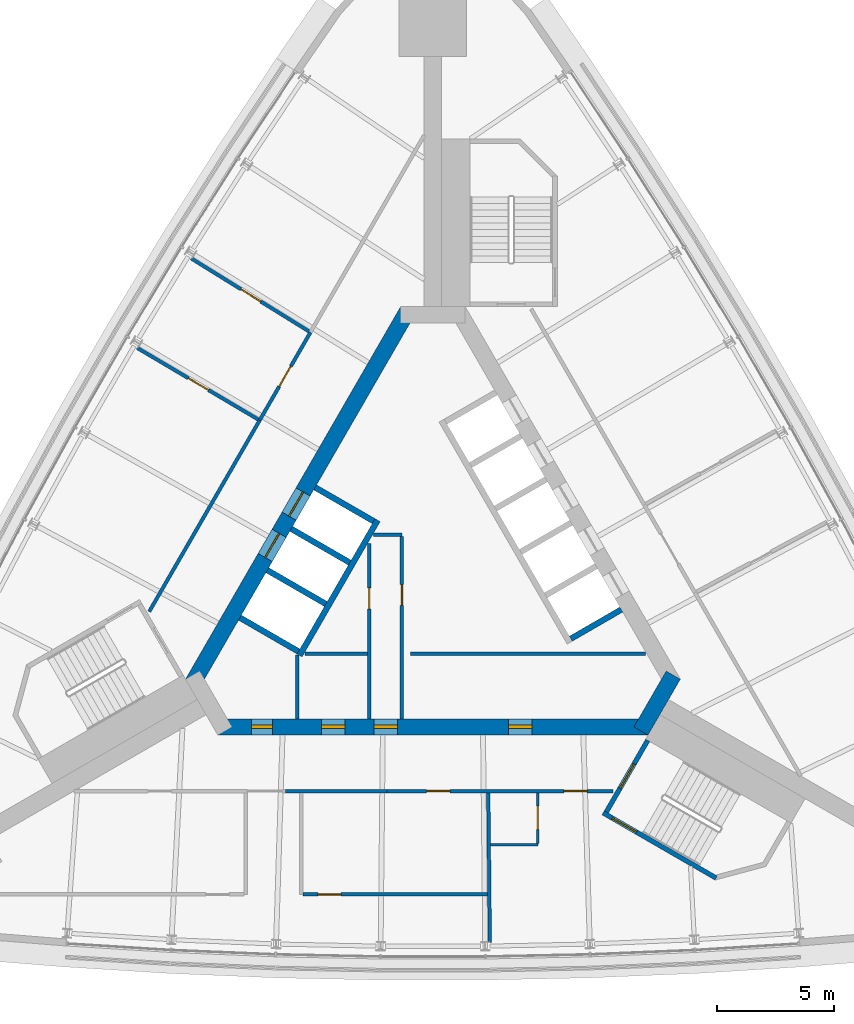
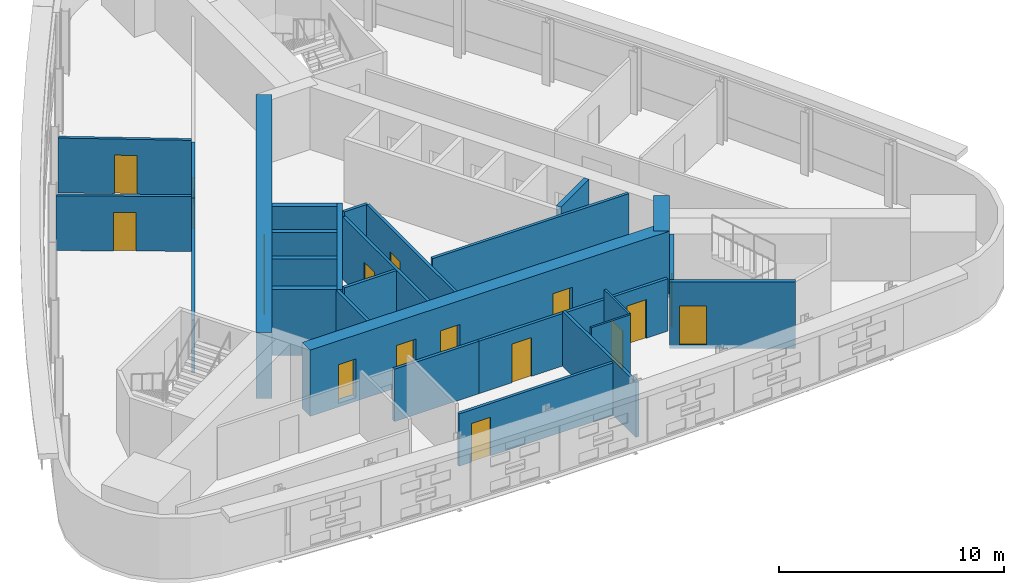
# One storey, part 8 of 12: 27 walls, 17 doors, 17 openings.
"""IFC4 building model written with IfcOpenShell, lengths in metres."""

from ifc_helpers import new_model, si_unit, direction, frame, frame_2d, origin, place, context, subcontext, project, spatial, rectangle, extrude, material, layer, layer_set, type_object, element, fill, save


model = new_model("IFC4")

# Units and contexts
model_context = context("Model", 3, precision=1e-05, world=origin(), true_north=direction((0.0, 1.0)))
body_context = subcontext(model_context, "Body", "Model", "MODEL_VIEW")
ifc_project = project(units=[si_unit("LENGTHUNIT", "METRE"), si_unit("AREAUNIT", "SQUARE_METRE"), si_unit("VOLUMEUNIT", "CUBIC_METRE"), si_unit("PLANEANGLEUNIT", "RADIAN"), si_unit("MASSUNIT", "GRAM", prefix="KILO")], contexts=[model_context])

# Site, building, storey
site_placement = place(None, origin())
site = spatial("IfcSite", under=ifc_project, at=site_placement, CompositionType="ELEMENT")
building_placement = place(site_placement, origin())
building = spatial("IfcBuilding", under=site, at=building_placement, Name="Noor Cloister Tower", CompositionType="ELEMENT")
storey_placement = place(building_placement, frame((0.0, 0.0, 154.5)))
storey = spatial("IfcBuildingStorey", under=building, at=storey_placement, Name="L39", CompositionType="ELEMENT", Elevation=154.5)

# Walls
ifc_material_1 = material(Name="Concrete C30/37", Category="concrete")
ifc_layer_1 = layer(ifc_material_1, 0.14990234375)
ifc_layer_set_1 = layer_set([ifc_layer_1], Name="Core partition 150 C30/37")
wall_type_1 = type_object("IfcWallType", Name="Core partition 150 C30/37", PredefinedType="PARTITIONING", material=ifc_layer_set_1)
wall_1_placement = place(storey_placement, frame((-5.82861328125, -3.492431640625, 0.0), z_axis=(0.0, 0.0, 1.0), x_axis=(0.0, -1.0, 0.0)))
element("IfcWall", 1, at=wall_1_placement, inside=storey, type_object=wall_type_1, Name="Core room partition L39 1", PredefinedType="PARTITIONING", context=body_context, shape_type="SweptSolid", body=[
    extrude(rectangle(XDim=2.73583984375, YDim=0.14990234375, at=frame_2d((1.367919921875, 0.0))), origin(), (0.0, 0.0, 1.0), 3.39990234375),
])
wall_2_placement = place(storey_placement, frame((-5.48876953125, -3.42822265625, 0.0), z_axis=(0.0, 0.0, 1.0), x_axis=(1.0, 0.0, 0.0)))
element("IfcWall", 2, at=wall_2_placement, inside=storey, type_object=wall_type_1, Name="Core room partition L39 2", PredefinedType="PARTITIONING", context=body_context, shape_type="SweptSolid", body=[
    extrude(rectangle(XDim=2.68505859375, YDim=0.14990234375, at=frame_2d((1.342529296875, 0.0))), origin(), (0.0, 0.0, 1.0), 3.39990234375),
])

# Wall, opening, door
wall_3_placement = place(storey_placement, frame((-2.728759765625, 1.300048828125, 0.0), z_axis=(0.0, 0.0, 1.0), x_axis=(0.0, -1.0, 0.0)))
wall_3 = element("IfcWall", 3, at=wall_3_placement, inside=storey, type_object=wall_type_1, Name="Core room partition L39 3", PredefinedType="PARTITIONING", context=body_context, shape_type="SweptSolid", body=[
    extrude(rectangle(XDim=7.5283203125, YDim=0.14990234375, at=frame_2d((3.76416015625, 0.0))), origin(), (0.0, 0.0, 1.0), 3.39990234375),
])
opening_1_placement = place(wall_3_placement, frame((1.915283203125, 0.0, 0.0)))
opening_1 = element("IfcOpeningElement", 4, at=opening_1_placement, cuts=wall_3, Name="Opening L39-905", PredefinedType="OPENING", context=body_context, shape_type="SweptSolid", body=[
    extrude(rectangle(XDim=0.89990234375, YDim=2.10009765625, at=frame_2d((0.449951171875, 1.050048828125))), frame((0.0, 0.0849609375, 0.0), z_axis=(0.0, -1.0, 0.0), x_axis=(1.0, 0.0, 0.0)), (0.0, 0.0, 1.0), 0.169921875),
])
ifc_material_2 = material(Name="Steel", Category="steel")
door_type_1 = type_object("IfcDoorType", Name="Core door 900 x 2100 FD120", OperationType="SINGLE_SWING_LEFT", PredefinedType="DOOR", material=ifc_material_2)
door_1_placement = place(opening_1_placement, origin())
door_1 = element("IfcDoor", 5, at=door_1_placement, inside=storey, type_object=door_type_1, Name="Core door 5 L39", OperationType="SINGLE_SWING_LEFT", OverallHeight=2.10009765625, OverallWidth=0.89990234375, PredefinedType="DOOR", context=body_context, shape_type="SweptSolid", body=[
    extrude(rectangle(XDim=0.89990234375, YDim=2.10009765625, at=frame_2d((0.449951171875, 1.050048828125))), frame((0.0, 0.02490234375, 0.0), z_axis=(0.0, -1.0, 0.0), x_axis=(1.0, 0.0, 0.0)), (0.0, 0.0, 1.0), 0.050048828125),
])
fill(opening_1, door_1)

# Wall
wall_4_placement = place(storey_placement, frame((-2.544189453125, 1.671875, 0.0), z_axis=(0.0, 0.0, 1.0), x_axis=(1.0, 0.0, 0.0)))
element("IfcWall", 6, at=wall_4_placement, inside=storey, type_object=wall_type_1, Name="Core room partition L39 4", PredefinedType="PARTITIONING", context=body_context, shape_type="SweptSolid", body=[
    extrude(rectangle(XDim=1.215576171875, YDim=0.14990234375, at=frame_2d((0.60791015625, 0.0))), origin(), (0.0, 0.0, 1.0), 3.39990234375),
])

# Wall, opening, door
wall_5_placement = place(storey_placement, frame((-1.32861328125, 1.5966796875, 0.0), z_axis=(0.0, 0.0, 1.0), x_axis=(0.0, -1.0, 0.0)))
wall_5 = element("IfcWall", 7, at=wall_5_placement, inside=storey, type_object=wall_type_1, Name="Core room partition L39 5", PredefinedType="PARTITIONING", context=body_context, shape_type="SweptSolid", body=[
    extrude(rectangle(XDim=7.824951171875, YDim=0.14990234375, at=frame_2d((3.91259765625, 0.0))), origin(), (0.0, 0.0, 1.0), 3.39990234375),
])
opening_2_placement = place(wall_5_placement, frame((2.0634765625, 0.0, 0.0)))
opening_2 = element("IfcOpeningElement", 8, at=opening_2_placement, cuts=wall_5, Name="Opening L39-906", PredefinedType="OPENING", context=body_context, shape_type="SweptSolid", body=[
    extrude(rectangle(XDim=0.89990234375, YDim=2.10009765625, at=frame_2d((0.449951171875, 1.050048828125))), frame((0.0, 0.0849609375, 0.0), z_axis=(0.0, -1.0, 0.0), x_axis=(1.0, 0.0, 0.0)), (0.0, 0.0, 1.0), 0.169921875),
])
door_2_placement = place(opening_2_placement, origin())
door_2 = element("IfcDoor", 9, at=door_2_placement, inside=storey, type_object=door_type_1, Name="Core door 6 L39", OperationType="SINGLE_SWING_RIGHT", OverallHeight=2.10009765625, OverallWidth=0.89990234375, PredefinedType="DOOR", context=body_context, shape_type="SweptSolid", body=[
    extrude(rectangle(XDim=0.89990234375, YDim=2.10009765625, at=frame_2d((0.449951171875, 1.050048828125))), frame((0.0, 0.02490234375, 0.0), z_axis=(0.0, -1.0, 0.0), x_axis=(1.0, 0.0, 0.0)), (0.0, 0.0, 1.0), 0.050048828125),
])
fill(opening_2, door_2)

# Wall
wall_6_placement = place(storey_placement, frame((-0.95361328125, -3.42822265625, 0.0), z_axis=(0.0, 0.0, 1.0), x_axis=(1.0, 0.0, 0.0)))
element("IfcWall", 10, at=wall_6_placement, inside=storey, type_object=wall_type_1, Name="Core room partition L39 6", PredefinedType="PARTITIONING", context=body_context, shape_type="SweptSolid", body=[
    extrude(rectangle(XDim=10.07958984375, YDim=0.14990234375, at=frame_2d((5.039794921875, 0.0))), origin(), (0.0, 0.0, 1.0), 3.39990234375),
])

# Wall, openings, doors
ifc_material_3 = material(Name="Concrete C70/85", Category="concrete")
ifc_layer_2 = layer(ifc_material_3, 0.699951171875)
ifc_layer_set_2 = layer_set([ifc_layer_2], Name="Core wall 700 C70/85")
wall_type_2 = type_object("IfcWallType", Name="Core wall 700 C70/85", PredefinedType="SHEAR", material=ifc_layer_set_2)
wall_7_placement = place(storey_placement, frame((-9.228759765625, -6.578125, -0.199951171875), z_axis=(0.0, 0.0, 1.0), x_axis=(1.0, 0.0, 0.0)))
wall_7 = element("IfcWall", 11, at=wall_7_placement, inside=storey, type_object=wall_type_2, Name="Core wall L39 1", PredefinedType="SHEAR", context=body_context, shape_type="SweptSolid", body=[
    extrude(rectangle(XDim=18.45751953125, YDim=0.699951171875, at=frame_2d((9.228759765625, 0.0))), origin(), (0.0, 0.0, 1.0), 3.599853515625),
])
opening_3_placement = place(wall_7_placement, frame((6.699951171875, 0.0, 0.199951171875)))
opening_3 = element("IfcOpeningElement", 12, at=opening_3_placement, cuts=wall_7, Name="Opening L39-901", PredefinedType="OPENING", context=body_context, shape_type="SweptSolid", body=[
    extrude(rectangle(XDim=1.0, YDim=2.10009765625, at=frame_2d((0.5, 1.050048828125))), frame((0.0, 0.35986328125, 0.0), z_axis=(0.0, -1.0, 0.0), x_axis=(1.0, 0.0, 0.0)), (0.0, 0.0, 1.0), 0.719970703125),
])
opening_4_placement = place(wall_7_placement, frame((1.451904296875, 0.0, 0.199951171875)))
opening_4 = element("IfcOpeningElement", 13, at=opening_4_placement, cuts=wall_7, Name="Opening L39-902", PredefinedType="OPENING", context=body_context, shape_type="SweptSolid", body=[
    extrude(rectangle(XDim=0.89990234375, YDim=2.10009765625, at=frame_2d((0.449951171875, 1.050048828125))), frame((0.0, 0.35986328125, 0.0), z_axis=(0.0, -1.0, 0.0), x_axis=(1.0, 0.0, 0.0)), (0.0, 0.0, 1.0), 0.719970703125),
])
opening_5_placement = place(wall_7_placement, frame((4.449951171875, 0.0, 0.199951171875)))
opening_5 = element("IfcOpeningElement", 14, at=opening_5_placement, cuts=wall_7, Name="Opening L39-903", PredefinedType="OPENING", context=body_context, shape_type="SweptSolid", body=[
    extrude(rectangle(XDim=1.0, YDim=2.10009765625, at=frame_2d((0.5, 1.050048828125))), frame((0.0, 0.35986328125, 0.0), z_axis=(0.0, -1.0, 0.0), x_axis=(1.0, 0.0, 0.0)), (0.0, 0.0, 1.0), 0.719970703125),
])
opening_6_placement = place(wall_7_placement, frame((12.4765625, 0.0, 0.199951171875)))
opening_6 = element("IfcOpeningElement", 15, at=opening_6_placement, cuts=wall_7, Name="Opening L39-904", PredefinedType="OPENING", context=body_context, shape_type="SweptSolid", body=[
    extrude(rectangle(XDim=1.0, YDim=2.10009765625, at=frame_2d((0.5, 1.050048828125))), frame((0.0, 0.35986328125, 0.0), z_axis=(0.0, -1.0, 0.0), x_axis=(1.0, 0.0, 0.0)), (0.0, 0.0, 1.0), 0.719970703125),
])
ifc_material_4 = material(Name="Steel", Category="steel")
door_type_2 = type_object("IfcDoorType", Name="Core door 1000 x 2100 FD120", OperationType="SINGLE_SWING_LEFT", PredefinedType="DOOR", material=ifc_material_4)
door_3_placement = place(opening_3_placement, origin())
door_3 = element("IfcDoor", 16, at=door_3_placement, inside=storey, type_object=door_type_2, Name="Core door 1 L39", OperationType="SINGLE_SWING_LEFT", OverallHeight=2.10009765625, OverallWidth=1.0, PredefinedType="DOOR", context=body_context, shape_type="SweptSolid", body=[
    extrude(rectangle(XDim=1.0, YDim=2.10009765625, at=frame_2d((0.5, 1.050048828125))), frame((0.0, 0.074951171875, 0.0), z_axis=(0.0, -1.0, 0.0), x_axis=(1.0, 0.0, 0.0)), (0.0, 0.0, 1.0), 0.14990234375),
])
fill(opening_3, door_3)
ifc_material_5 = material(Name="Steel", Category="steel")
door_type_3 = type_object("IfcDoorType", Name="Core door 1000 x 2100 FD60", OperationType="SINGLE_SWING_LEFT", PredefinedType="DOOR", material=ifc_material_5)
door_4_placement = place(opening_5_placement, origin())
door_4 = element("IfcDoor", 17, at=door_4_placement, inside=storey, type_object=door_type_3, Name="Core door 3 L39", OperationType="SINGLE_SWING_LEFT", OverallHeight=2.10009765625, OverallWidth=1.0, PredefinedType="DOOR", context=body_context, shape_type="SweptSolid", body=[
    extrude(rectangle(XDim=1.0, YDim=2.10009765625, at=frame_2d((0.5, 1.050048828125))), frame((0.0, 0.074951171875, 0.0), z_axis=(0.0, -1.0, 0.0), x_axis=(1.0, 0.0, 0.0)), (0.0, 0.0, 1.0), 0.14990234375),
])
fill(opening_5, door_4)
door_5_placement = place(opening_6_placement, origin())
door_5 = element("IfcDoor", 18, at=door_5_placement, inside=storey, type_object=door_type_3, Name="Core door 4 L39", OperationType="SINGLE_SWING_RIGHT", OverallHeight=2.10009765625, OverallWidth=1.0, PredefinedType="DOOR", context=body_context, shape_type="SweptSolid", body=[
    extrude(rectangle(XDim=1.0, YDim=2.10009765625, at=frame_2d((0.5, 1.050048828125))), frame((0.0, 0.074951171875, 0.0), z_axis=(0.0, -1.0, 0.0), x_axis=(1.0, 0.0, 0.0)), (0.0, 0.0, 1.0), 0.14990234375),
])
fill(opening_6, door_5)
ifc_material_6 = material(Name="Steel", Category="steel")
door_type_4 = type_object("IfcDoorType", Name="Core door 900 x 2100 FD60", OperationType="SINGLE_SWING_LEFT", PredefinedType="DOOR", material=ifc_material_6)
door_6_placement = place(opening_4_placement, origin())
door_6 = element("IfcDoor", 19, at=door_6_placement, inside=storey, type_object=door_type_4, Name="Core door 2 L39", OperationType="SINGLE_SWING_RIGHT", OverallHeight=2.10009765625, OverallWidth=0.89990234375, PredefinedType="DOOR", context=body_context, shape_type="SweptSolid", body=[
    extrude(rectangle(XDim=0.89990234375, YDim=2.10009765625, at=frame_2d((0.449951171875, 1.050048828125))), frame((0.0, 0.074951171875, 0.0), z_axis=(0.0, -1.0, 0.0), x_axis=(1.0, 0.0, 0.0)), (0.0, 0.0, 1.0), 0.14990234375),
])
fill(opening_4, door_6)

# Wall
wall_8_placement = place(storey_placement, frame((8.925537109375, -6.753173828125, -0.199951171875), z_axis=(0.0, 0.0, 1.0), x_axis=(0.500042739161, 0.866000726912, 0.0)))
element("IfcWall", 20, at=wall_8_placement, inside=storey, type_object=wall_type_2, Name="Core wall L39 2", PredefinedType="SHEAR", context=body_context, shape_type="SweptSolid", body=[
    extrude(rectangle(XDim=2.771240234375, YDim=0.699951171875, at=frame_2d((1.3857421875, 0.0))), origin(), (0.0, 0.0, 1.0), 3.599853515625),
])

# Wall, openings, doors
wall_9_placement = place(storey_placement, frame((-1.08251953125, 11.281494140625, -0.199951171875), z_axis=(0.0, 0.0, 1.0), x_axis=(-0.500001446645, -0.866024568562, 0.0)))
wall_9 = element("IfcWall", 21, at=wall_9_placement, inside=storey, type_object=wall_type_2, Name="Core wall L39 5", PredefinedType="SHEAR", context=body_context, shape_type="SweptSolid", body=[
    extrude(rectangle(XDim=18.45751953125, YDim=0.699951171875, at=frame_2d((9.228759765625, 0.0))), origin(), (0.0, 0.0, 1.0), 3.599853515625),
])
opening_7_placement = place(wall_9_placement, frame((8.978759765625, 0.0, 0.199951171875)))
opening_7 = element("IfcOpeningElement", 22, at=opening_7_placement, cuts=wall_9, Name="Opening L39-FF1", PredefinedType="OPENING", context=body_context, shape_type="SweptSolid", body=[
    extrude(rectangle(XDim=1.199951171875, YDim=2.10009765625, at=frame_2d((0.60009765625, 1.050048828125))), frame((0.0, 0.35986328125, 0.0), z_axis=(0.0, -1.0, 0.0), x_axis=(1.0, 0.0, 0.0)), (0.0, 0.0, 1.0), 0.719970703125),
])
opening_8_placement = place(wall_9_placement, frame((11.02880859375, 0.0, 0.199951171875)))
opening_8 = element("IfcOpeningElement", 23, at=opening_8_placement, cuts=wall_9, Name="Opening L39-FF2", PredefinedType="OPENING", context=body_context, shape_type="SweptSolid", body=[
    extrude(rectangle(XDim=1.199951171875, YDim=2.10009765625, at=frame_2d((0.60009765625, 1.050048828125))), frame((0.0, 0.35986328125, 0.0), z_axis=(0.0, -1.0, 0.0), x_axis=(1.0, 0.0, 0.0)), (0.0, 0.0, 1.0), 0.719970703125),
])
ifc_material_7 = material(Name="Stainless steel", Category="steel")
door_type_5 = type_object("IfcDoorType", Name="Lift landing door 1200 x 2100", OperationType="DOUBLE_DOOR_SLIDING", PredefinedType="DOOR", material=ifc_material_7)
door_7_placement = place(opening_7_placement, origin())
door_7 = element("IfcDoor", 24, at=door_7_placement, inside=storey, type_object=door_type_5, Name="Landing door FF1 L39", OperationType="DOUBLE_DOOR_SLIDING", OverallHeight=2.10009765625, OverallWidth=1.199951171875, PredefinedType="DOOR", context=body_context, shape_type="SweptSolid", body=[
    extrude(rectangle(XDim=1.199951171875, YDim=2.10009765625, at=frame_2d((0.60009765625, 1.050048828125))), frame((0.0, 0.02490234375, 0.0), z_axis=(0.0, -1.0, 0.0), x_axis=(1.0, 0.0, 0.0)), (0.0, 0.0, 1.0), 0.050048828125),
])
fill(opening_7, door_7)
door_8_placement = place(opening_8_placement, origin())
door_8 = element("IfcDoor", 25, at=door_8_placement, inside=storey, type_object=door_type_5, Name="Landing door FF2 L39", OperationType="DOUBLE_DOOR_SLIDING", OverallHeight=2.10009765625, OverallWidth=1.199951171875, PredefinedType="DOOR", context=body_context, shape_type="SweptSolid", body=[
    extrude(rectangle(XDim=1.199951171875, YDim=2.10009765625, at=frame_2d((0.60009765625, 1.050048828125))), frame((0.0, 0.02490234375, 0.0), z_axis=(0.0, -1.0, 0.0), x_axis=(1.0, 0.0, 0.0)), (0.0, 0.0, 1.0), 0.050048828125),
])
fill(opening_8, door_8)

# Wall
ifc_material_8 = material(Name="Fire-rated gypsum board partition on steel studs, 150 mm", Category="steel")
ifc_layer_3 = layer(ifc_material_8, 0.14990234375)
ifc_layer_set_3 = layer_set([ifc_layer_3], Name="Fire lobby wall 150")
wall_type_3 = type_object("IfcWallType", Name="Fire lobby wall 150", PredefinedType="PARTITIONING", material=ifc_layer_set_3)
wall_10_placement = place(storey_placement, frame((-7.43505859375, 6.578369140625, 0.0), z_axis=(0.0, 0.0, 1.0), x_axis=(-0.499998996204, -0.866025983326, 0.0)))
element("IfcWall", 26, at=wall_10_placement, inside=storey, type_object=wall_type_3, Name="Wall L39-W17", PredefinedType="PARTITIONING", context=body_context, shape_type="SweptSolid", body=[
    extrude(rectangle(XDim=9.47607421875, YDim=0.14990234375, at=frame_2d((4.738037109375, 0.0))), origin(), (0.0, 0.0, 1.0), 2.846923828125),
])

# Wall, opening, door
wall_11_placement = place(storey_placement, frame((-5.2548828125, 10.354736328125, 0.0), z_axis=(0.0, 0.0, 1.0), x_axis=(-0.499980937175, -0.866036409432, 0.0)))
wall_11 = element("IfcWall", 27, at=wall_11_placement, inside=storey, type_object=wall_type_3, Name="Wall L39-W20", PredefinedType="PARTITIONING", context=body_context, shape_type="SweptSolid", body=[
    extrude(rectangle(XDim=4.360595703125, YDim=0.14990234375, at=frame_2d((2.18017578125, 0.0))), origin(), (0.0, 0.0, 1.0), 2.846923828125),
])
opening_9_placement = place(wall_11_placement, frame((1.68017578125, 0.0, 0.0)))
opening_9 = element("IfcOpeningElement", 28, at=opening_9_placement, cuts=wall_11, Name="Opening L39-011", PredefinedType="OPENING", context=body_context, shape_type="SweptSolid", body=[
    extrude(rectangle(XDim=1.0, YDim=2.10009765625, at=frame_2d((0.5, 1.050048828125))), frame((0.0, 0.0849609375, 0.0), z_axis=(0.0, -1.0, 0.0), x_axis=(1.0, 0.0, 0.0)), (0.0, 0.0, 1.0), 0.169921875),
])
ifc_material_9 = material(Name="Timber door leaf with steel frame", Category="steel")
door_type_6 = type_object("IfcDoorType", Name="Fire lobby door 1000", OperationType="NOTDEFINED", PredefinedType="DOOR", material=ifc_material_9)
door_9_placement = place(opening_9_placement, origin())
door_9 = element("IfcDoor", 29, at=door_9_placement, inside=storey, type_object=door_type_6, Name="Door L39-011", OperationType="SINGLE_SWING_LEFT", OverallHeight=2.10009765625, OverallWidth=1.0, PredefinedType="DOOR", context=body_context, shape_type="SweptSolid", body=[
    extrude(rectangle(XDim=1.0, YDim=2.10009765625, at=frame_2d((0.5, 1.050048828125))), frame((0.0, 0.02490234375, 0.0), z_axis=(0.0, -1.0, 0.0), x_axis=(1.0, 0.0, 0.0)), (0.0, 0.0, 1.0), 0.050048828125),
])
fill(opening_9, door_9)

# Wall, openings, doors
ifc_material_10 = material(Name="Gypsum board partition on steel studs, 150 mm", Category="steel")
ifc_layer_4 = layer(ifc_material_10, 0.14990234375)
ifc_layer_set_4 = layer_set([ifc_layer_4], Name="Flat wall 150")
wall_type_4 = type_object("IfcWallType", Name="Flat wall 150", PredefinedType="PARTITIONING", material=ifc_layer_set_4)
wall_12_placement = place(storey_placement, frame((-1.975341796875, -9.328125, 0.0), z_axis=(0.0, 0.0, 1.0), x_axis=(1.0, 0.0, 0.0)))
wall_12 = element("IfcWall", 30, at=wall_12_placement, inside=storey, type_object=wall_type_4, Name="Wall L39-W07", PredefinedType="PARTITIONING", context=body_context, shape_type="SweptSolid", body=[
    extrude(rectangle(XDim=9.702880859375, YDim=0.14990234375, at=frame_2d((4.8515625, 0.0))), origin(), (0.0, 0.0, 1.0), 2.846923828125),
])
opening_10_placement = place(wall_12_placement, frame((1.7001953125, 0.0, 0.0)))
opening_10 = element("IfcOpeningElement", 31, at=opening_10_placement, cuts=wall_12, Name="Opening L39-008", PredefinedType="OPENING", context=body_context, shape_type="SweptSolid", body=[
    extrude(rectangle(XDim=1.0, YDim=2.10009765625, at=frame_2d((0.5, 1.050048828125))), frame((0.0, 0.0849609375, 0.0), z_axis=(0.0, -1.0, 0.0), x_axis=(1.0, 0.0, 0.0)), (0.0, 0.0, 1.0), 0.169921875),
])
opening_11_placement = place(wall_12_placement, frame((7.588623046875, 0.0, 0.0)))
opening_11 = element("IfcOpeningElement", 32, at=opening_11_placement, cuts=wall_12, Name="Opening L39-010", PredefinedType="OPENING", context=body_context, shape_type="SweptSolid", body=[
    extrude(rectangle(XDim=1.0, YDim=2.10009765625, at=frame_2d((0.5, 1.050048828125))), frame((0.0, 0.0849609375, 0.0), z_axis=(0.0, -1.0, 0.0), x_axis=(1.0, 0.0, 0.0)), (0.0, 0.0, 1.0), 0.169921875),
])
ifc_material_11 = material(Name="Timber door leaf with steel frame", Category="steel")
door_type_7 = type_object("IfcDoorType", Name="Flat entrance door 1000", OperationType="NOTDEFINED", PredefinedType="DOOR", material=ifc_material_11)
door_10_placement = place(opening_11_placement, origin())
door_10 = element("IfcDoor", 33, at=door_10_placement, inside=storey, type_object=door_type_7, Name="Door L39-010", OperationType="SINGLE_SWING_RIGHT", OverallHeight=2.10009765625, OverallWidth=1.0, PredefinedType="DOOR", context=body_context, shape_type="SweptSolid", body=[
    extrude(rectangle(XDim=1.0, YDim=2.10009765625, at=frame_2d((0.5, 1.050048828125))), frame((0.0, 0.02490234375, 0.0), z_axis=(0.0, -1.0, 0.0), x_axis=(1.0, 0.0, 0.0)), (0.0, 0.0, 1.0), 0.050048828125),
])
fill(opening_11, door_10)
ifc_material_12 = material(Name="Timber door leaf with steel frame", Category="steel")
door_type_8 = type_object("IfcDoorType", Name="Interior door 1000 FD60", OperationType="NOTDEFINED", PredefinedType="DOOR", material=ifc_material_12)
door_11_placement = place(opening_10_placement, origin())
door_11 = element("IfcDoor", 34, at=door_11_placement, inside=storey, type_object=door_type_8, Name="Door L39-008", OperationType="SINGLE_SWING_RIGHT", OverallHeight=2.10009765625, OverallWidth=1.0, PredefinedType="DOOR", context=body_context, shape_type="SweptSolid", body=[
    extrude(rectangle(XDim=1.0, YDim=2.10009765625, at=frame_2d((0.5, 1.050048828125))), frame((0.0, 0.02490234375, 0.0), z_axis=(0.0, -1.0, 0.0), x_axis=(1.0, 0.0, 0.0)), (0.0, 0.0, 1.0), 0.050048828125),
])
fill(opening_10, door_11)

# Walls
wall_13_placement = place(storey_placement, frame((-6.32763671875, -9.328125, 0.0), z_axis=(0.0, 0.0, 1.0), x_axis=(1.0, 0.0, 0.0)))
element("IfcWall", 35, at=wall_13_placement, inside=storey, type_object=wall_type_4, Name="Wall L39-W08", PredefinedType="PARTITIONING", context=body_context, shape_type="SweptSolid", body=[
    extrude(rectangle(XDim=4.352294921875, YDim=0.14990234375, at=frame_2d((2.17626953125, 0.0))), origin(), (0.0, 0.0, 1.0), 2.846923828125),
])
wall_14_placement = place(storey_placement, frame((2.442626953125, -15.831298828125, 0.0), z_axis=(0.0, 0.0, 1.0), x_axis=(-0.010368237525, 0.999946248381, 0.0)))
element("IfcWall", 36, at=wall_14_placement, inside=storey, type_object=wall_type_4, Name="Wall L39-W09", PredefinedType="PARTITIONING", context=body_context, shape_type="SweptSolid", body=[
    extrude(rectangle(XDim=6.42822265625, YDim=0.14990234375, at=frame_2d((3.214111328125, 0.0))), origin(), (0.0, 0.0, 1.0), 2.97412109375),
])

# Wall, opening, door
wall_15_placement = place(storey_placement, frame((-5.56591796875, -13.76611328125, 0.0), z_axis=(0.0, 0.0, 1.0), x_axis=(1.0, 0.0, 0.0)))
wall_15 = element("IfcWall", 37, at=wall_15_placement, inside=storey, type_object=wall_type_4, Name="Wall L39-W13", PredefinedType="PARTITIONING", context=body_context, shape_type="SweptSolid", body=[
    extrude(rectangle(XDim=7.912109375, YDim=0.14990234375, at=frame_2d((3.9560546875, 0.0))), origin(), (0.0, 0.0, 1.0), 2.846923828125),
])
opening_12_placement = place(wall_15_placement, frame((0.625, 0.0, 0.0)))
opening_12 = element("IfcOpeningElement", 38, at=opening_12_placement, cuts=wall_15, Name="Opening L39-007", PredefinedType="OPENING", context=body_context, shape_type="SweptSolid", body=[
    extrude(rectangle(XDim=1.0, YDim=2.10009765625, at=frame_2d((0.5, 1.050048828125))), frame((0.0, 0.0849609375, 0.0), z_axis=(0.0, -1.0, 0.0), x_axis=(1.0, 0.0, 0.0)), (0.0, 0.0, 1.0), 0.169921875),
])
door_12_placement = place(opening_12_placement, origin())
door_12 = element("IfcDoor", 39, at=door_12_placement, inside=storey, type_object=door_type_8, Name="Door L39-007", OperationType="SINGLE_SWING_LEFT", OverallHeight=2.10009765625, OverallWidth=1.0, PredefinedType="DOOR", context=body_context, shape_type="SweptSolid", body=[
    extrude(rectangle(XDim=1.0, YDim=2.10009765625, at=frame_2d((0.5, 1.050048828125))), frame((0.0, 0.02490234375, 0.0), z_axis=(0.0, -1.0, 0.0), x_axis=(1.0, 0.0, 0.0)), (0.0, 0.0, 1.0), 0.050048828125),
])
fill(opening_12, door_12)

wall_16_placement = place(storey_placement, frame((-10.37353515625, 13.526123046875, 0.0), z_axis=(0.0, 0.0, 1.0), x_axis=(0.85006997005, -0.526669769418, 0.0)))
wall_16 = element("IfcWall", 40, at=wall_16_placement, inside=storey, type_object=wall_type_4, Name="Wall L39-W18", PredefinedType="PARTITIONING", context=body_context, shape_type="SweptSolid", body=[
    extrude(rectangle(XDim=5.946533203125, YDim=0.14990234375, at=frame_2d((2.97314453125, 0.0))), origin(), (0.0, 0.0, 1.0), 2.97412109375),
])
opening_13_placement = place(wall_16_placement, frame((2.5107421875, 0.0, 0.0)))
opening_13 = element("IfcOpeningElement", 41, at=opening_13_placement, cuts=wall_16, Name="Opening L39-012", PredefinedType="OPENING", context=body_context, shape_type="SweptSolid", body=[
    extrude(rectangle(XDim=1.0, YDim=2.10009765625, at=frame_2d((0.5, 1.050048828125))), frame((0.0, 0.0849609375, 0.0), z_axis=(0.0, -1.0, 0.0), x_axis=(1.0, 0.0, 0.0)), (0.0, 0.0, 1.0), 0.169921875),
])
door_13_placement = place(opening_13_placement, origin())
door_13 = element("IfcDoor", 42, at=door_13_placement, inside=storey, type_object=door_type_8, Name="Door L39-012", OperationType="SINGLE_SWING_RIGHT", OverallHeight=2.10009765625, OverallWidth=1.0, PredefinedType="DOOR", context=body_context, shape_type="SweptSolid", body=[
    extrude(rectangle(XDim=1.0, YDim=2.10009765625, at=frame_2d((0.5, 1.050048828125))), frame((0.0, 0.02490234375, 0.0), z_axis=(0.0, -1.0, 0.0), x_axis=(1.0, 0.0, 0.0)), (0.0, 0.0, 1.0), 0.050048828125),
])
fill(opening_13, door_13)

wall_17_placement = place(storey_placement, frame((-12.692626953125, 9.686767578125, 0.0), z_axis=(0.0, 0.0, 1.0), x_axis=(0.860795979621, -0.508950175821, 0.0)))
wall_17 = element("IfcWall", 43, at=wall_17_placement, inside=storey, type_object=wall_type_4, Name="Wall L39-W19", PredefinedType="PARTITIONING", context=body_context, shape_type="SweptSolid", body=[
    extrude(rectangle(XDim=6.03271484375, YDim=0.14990234375, at=frame_2d((3.016357421875, 0.0))), origin(), (0.0, 0.0, 1.0), 2.97412109375),
])
opening_14_placement = place(wall_17_placement, frame((2.5537109375, 0.0, 0.0)))
opening_14 = element("IfcOpeningElement", 44, at=opening_14_placement, cuts=wall_17, Name="Opening L39-013", PredefinedType="OPENING", context=body_context, shape_type="SweptSolid", body=[
    extrude(rectangle(XDim=1.0, YDim=2.10009765625, at=frame_2d((0.5, 1.050048828125))), frame((0.0, 0.0849609375, 0.0), z_axis=(0.0, -1.0, 0.0), x_axis=(1.0, 0.0, 0.0)), (0.0, 0.0, 1.0), 0.169921875),
])
door_14_placement = place(opening_14_placement, origin())
door_14 = element("IfcDoor", 45, at=door_14_placement, inside=storey, type_object=door_type_8, Name="Door L39-013", OperationType="SINGLE_SWING_LEFT", OverallHeight=2.10009765625, OverallWidth=1.0, PredefinedType="DOOR", context=body_context, shape_type="SweptSolid", body=[
    extrude(rectangle(XDim=1.0, YDim=2.10009765625, at=frame_2d((0.5, 1.050048828125))), frame((0.0, 0.02490234375, 0.0), z_axis=(0.0, -1.0, 0.0), x_axis=(1.0, 0.0, 0.0)), (0.0, 0.0, 1.0), 0.050048828125),
])
fill(opening_14, door_14)

# Wall
ifc_material_13 = material(Name="Gypsum board partition on steel studs, 100 mm", Category="steel")
ifc_layer_5 = layer(ifc_material_13, 0.10009765625)
ifc_layer_set_5 = layer_set([ifc_layer_5], Name="Partition 100")
wall_type_5 = type_object("IfcWallType", Name="Partition 100", PredefinedType="PARTITIONING", material=ifc_layer_set_5)
wall_18_placement = place(storey_placement, frame((2.47412109375, -11.628173828125, 0.0), z_axis=(0.0, 0.0, 1.0), x_axis=(1.0, 0.0, 0.0)))
element("IfcWall", 46, at=wall_18_placement, inside=storey, type_object=wall_type_5, Name="Wall L39-W14", PredefinedType="PARTITIONING", context=body_context, shape_type="SweptSolid", body=[
    extrude(rectangle(XDim=2.02490234375, YDim=0.10009765625, at=frame_2d((1.012451171875, 0.0))), origin(), (0.0, 0.0, 1.0), 3.39990234375),
])

# Wall, opening, door
wall_19_placement = place(storey_placement, frame((4.4990234375, -11.578125, 0.0), z_axis=(0.0, 0.0, 1.0), x_axis=(0.0, 1.0, 0.0)))
wall_19 = element("IfcWall", 47, at=wall_19_placement, inside=storey, type_object=wall_type_5, Name="Wall L39-W15", PredefinedType="PARTITIONING", context=body_context, shape_type="SweptSolid", body=[
    extrude(rectangle(XDim=2.1748046875, YDim=0.10009765625, at=frame_2d((1.08740234375, 0.0))), origin(), (0.0, 0.0, 1.0), 3.39990234375),
])
opening_15_placement = place(wall_19_placement, frame((0.60009765625, 0.0, 0.0)))
opening_15 = element("IfcOpeningElement", 48, at=opening_15_placement, cuts=wall_19, Name="Opening L39-009", PredefinedType="OPENING", context=body_context, shape_type="SweptSolid", body=[
    extrude(rectangle(XDim=1.0, YDim=2.10009765625, at=frame_2d((0.5, 1.050048828125))), frame((0.0, 0.06005859375, 0.0), z_axis=(0.0, -1.0, 0.0), x_axis=(1.0, 0.0, 0.0)), (0.0, 0.0, 1.0), 0.1201171875),
])
ifc_material_14 = material(Name="Timber door leaf with steel frame", Category="steel")
door_type_9 = type_object("IfcDoorType", Name="Interior door 1000", OperationType="NOTDEFINED", PredefinedType="DOOR", material=ifc_material_14)
door_15_placement = place(opening_15_placement, origin())
door_15 = element("IfcDoor", 49, at=door_15_placement, inside=storey, type_object=door_type_9, Name="Door L39-009", OperationType="SINGLE_SWING_LEFT", OverallHeight=2.10009765625, OverallWidth=1.0, PredefinedType="DOOR", context=body_context, shape_type="SweptSolid", body=[
    extrude(rectangle(XDim=1.0, YDim=2.10009765625, at=frame_2d((0.5, 1.050048828125))), frame((0.0, 0.02490234375, 0.0), z_axis=(0.0, -1.0, 0.0), x_axis=(1.0, 0.0, 0.0)), (0.0, 0.0, 1.0), 0.050048828125),
])
fill(opening_15, door_15)

# Walls
ifc_material_15 = material(Name="Concrete C70/85", Category="concrete")
ifc_layer_6 = layer(ifc_material_15, 0.25)
ifc_layer_set_6 = layer_set([ifc_layer_6], Name="Shaft wall 250 C70/85")
wall_type_6 = type_object("IfcWallType", Name="Shaft wall 250 C70/85", PredefinedType="PARTITIONING", material=ifc_layer_set_6)
wall_20_placement = place(storey_placement, frame((8.081298828125, -1.540771484375, -0.199951171875), z_axis=(0.0, 0.0, 1.0), x_axis=(-0.866022959057, -0.500004234368, 0.0)))
element("IfcWall", 50, at=wall_20_placement, inside=storey, type_object=wall_type_6, Name="Lift shaft wall L39 NE 1", PredefinedType="PARTITIONING", context=body_context, shape_type="SweptSolid", body=[
    extrude(rectangle(XDim=2.5, YDim=0.25, at=frame_2d((1.25, 0.0))), origin(), (0.0, 0.0, 1.0), 3.599853515625),
])
for number, where, z_axis, x_axis, name in (
    (51, (-5.056396484375, 3.69873046875, -0.199951171875), (0.0, 0.0, 1.0), (0.866032775405, -0.499987231761, 0.0), "Lift shaft wall L39 NW 3"),
    (52, (-6.081298828125, 1.92333984375, -0.199951171875), (0.0, 0.0, 1.0), (0.866032775405, -0.499987231761, 0.0), "Lift shaft wall L39 NW 4"),
    (53, (-7.106201171875, 0.14794921875, -0.199951171875), (0.0, 0.0, 1.0), (0.866032775405, -0.499987231761, 0.0), "Lift shaft wall L39 NW 5"),
    (54, (-8.28125, -1.88720703125, -0.199951171875), (0.0, 0.0, 1.0), (0.866032775405, -0.499987231761, 0.0), "Lift shaft wall L39 NW 6"),
):
    element("IfcWall", number, at=place(storey_placement, frame(where, z_axis=z_axis, x_axis=x_axis)), inside=storey, type_object=wall_type_6, Name=name, PredefinedType="PARTITIONING", context=body_context, shape_type="SweptSolid", body=[
        extrude(rectangle(XDim=2.89990234375, YDim=0.25, at=frame_2d((1.449951171875, 0.0))), origin(), (0.0, 0.0, 1.0), 3.599853515625),
    ])
wall_21_placement = place(storey_placement, frame((-2.3740234375, 2.29443359375, 0.0), z_axis=(0.0, 0.0, 1.0), x_axis=(-0.500003174267, -0.866023571113, 0.0)))
element("IfcWall", 55, at=wall_21_placement, inside=storey, type_object=wall_type_6, Name="Lift shaft back wall L39 NW", PredefinedType="PARTITIONING", context=body_context, shape_type="SweptSolid", body=[
    extrude(rectangle(XDim=6.7001953125, YDim=0.25, at=frame_2d((3.35009765625, 0.0))), origin(), (0.0, 0.0, 1.0), 3.39990234375),
])

# Wall, opening, door
ifc_material_16 = material(Name="Concrete C70/85", Category="concrete")
ifc_layer_7 = layer(ifc_material_16, 0.199951171875)
ifc_layer_set_7 = layer_set([ifc_layer_7], Name="Stair enclosure wall 200 C70/85")
wall_type_7 = type_object("IfcWallType", Name="Stair enclosure wall 200 C70/85", PredefinedType="SHEAR", material=ifc_layer_set_7)
wall_22_placement = place(storey_placement, frame((7.440185546875, -10.225830078125, -0.199951171875), z_axis=(0.0, 0.0, 1.0), x_axis=(0.500022077904, 0.866012656725, 0.0)))
wall_22 = element("IfcWall", 56, at=wall_22_placement, inside=storey, type_object=wall_type_7, Name="Stair enclosure wall ST3 L39 near end", PredefinedType="SHEAR", context=body_context, shape_type="SweptSolid", body=[
    extrude(rectangle(XDim=3.550048828125, YDim=0.199951171875, at=frame_2d((1.77490234375, 0.0))), origin(), (0.0, 0.0, 1.0), 3.599853515625),
])
opening_16_placement = place(wall_22_placement, frame((1.175048828125, 0.0, 0.199951171875)))
opening_16 = element("IfcOpeningElement", 57, at=opening_16_placement, cuts=wall_22, Name="Opening L39-ST3L", PredefinedType="OPENING", context=body_context, shape_type="SweptSolid", body=[
    extrude(rectangle(XDim=1.199951171875, YDim=2.10009765625, at=frame_2d((0.60009765625, 1.050048828125))), frame((0.0, 0.10986328125, 0.0), z_axis=(0.0, -1.0, 0.0), x_axis=(1.0, 0.0, 0.0)), (0.0, 0.0, 1.0), 0.219970703125),
])
ifc_material_17 = material(Name="Steel", Category="steel")
door_type_10 = type_object("IfcDoorType", Name="Stair door 1200 x 2100 FD120", OperationType="SINGLE_SWING_LEFT", PredefinedType="DOOR", material=ifc_material_17)
door_16_placement = place(opening_16_placement, origin())
door_16 = element("IfcDoor", 58, at=door_16_placement, inside=storey, type_object=door_type_10, Name="Stair door ST3 L39", OperationType="SINGLE_SWING_RIGHT", OverallHeight=2.10009765625, OverallWidth=1.199951171875, PredefinedType="DOOR", context=body_context, shape_type="SweptSolid", body=[
    extrude(rectangle(XDim=1.199951171875, YDim=2.10009765625, at=frame_2d((0.60009765625, 1.050048828125))), frame((0.0, 0.02490234375, 0.0), z_axis=(0.0, -1.0, 0.0), x_axis=(1.0, 0.0, 0.0)), (0.0, 0.0, 1.0), 0.050048828125),
])
fill(opening_16, door_16)

wall_23_placement = place(storey_placement, frame((7.3037109375, -10.262451171875, -0.199951171875), z_axis=(0.0, 0.0, 1.0), x_axis=(0.866026594901, -0.49999793692, 0.0)))
wall_23 = element("IfcWall", 59, at=wall_23_placement, inside=storey, type_object=wall_type_7, Name="Stair enclosure wall ST3 L39 outer side", PredefinedType="SHEAR", context=body_context, shape_type="SweptSolid", body=[
    extrude(rectangle(XDim=5.60009765625, YDim=0.199951171875, at=frame_2d((2.800048828125, 0.0))), origin(), (0.0, 0.0, 1.0), 3.599853515625),
])
opening_17_placement = place(wall_23_placement, frame((0.449951171875, 0.0, 0.199951171875)))
opening_17 = element("IfcOpeningElement", 60, at=opening_17_placement, cuts=wall_23, Name="Opening L39-ST3C", PredefinedType="OPENING", context=body_context, shape_type="SweptSolid", body=[
    extrude(rectangle(XDim=1.199951171875, YDim=2.10009765625, at=frame_2d((0.60009765625, 1.050048828125))), frame((0.0, 0.10986328125, 0.0), z_axis=(0.0, -1.0, 0.0), x_axis=(1.0, 0.0, 0.0)), (0.0, 0.0, 1.0), 0.219970703125),
])
door_17_placement = place(opening_17_placement, origin())
door_17 = element("IfcDoor", 61, at=door_17_placement, inside=storey, type_object=door_type_10, Name="Stair door ST3 L39", OperationType="SINGLE_SWING_LEFT", OverallHeight=2.10009765625, OverallWidth=1.199951171875, PredefinedType="DOOR", context=body_context, shape_type="SweptSolid", body=[
    extrude(rectangle(XDim=1.199951171875, YDim=2.10009765625, at=frame_2d((0.60009765625, 1.050048828125))), frame((0.0, 0.02490234375, 0.0), z_axis=(0.0, -1.0, 0.0), x_axis=(1.0, 0.0, 0.0)), (0.0, 0.0, 1.0), 0.050048828125),
])
fill(opening_17, door_17)

save(model, "model.ifc")
